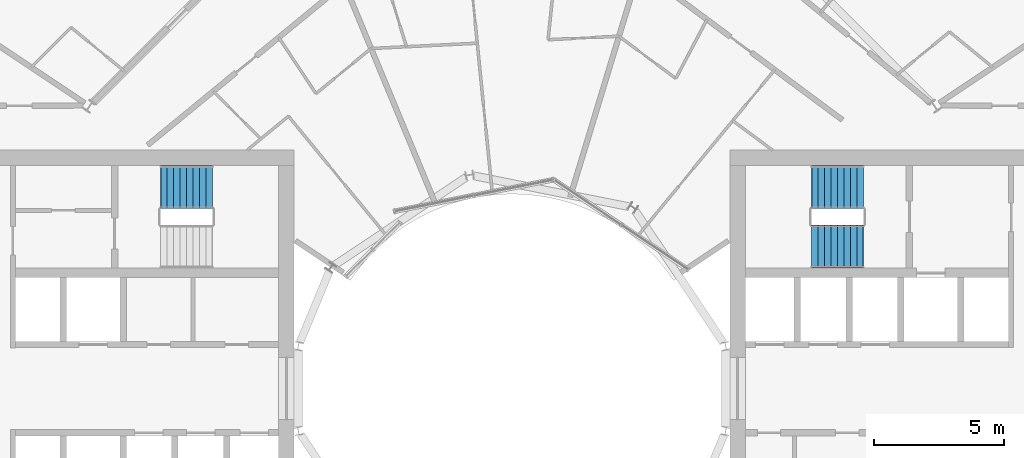
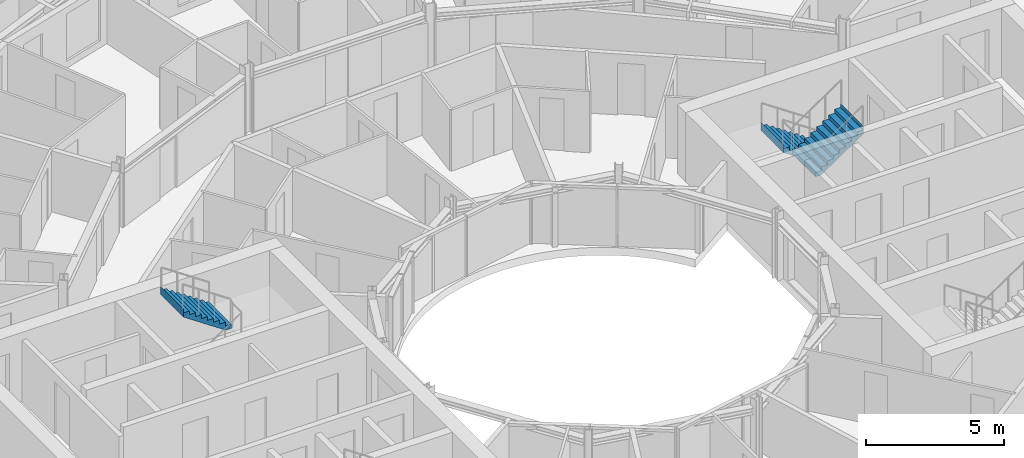
# One storey, part 25 of 27: 3 stair flights, 2 elements without a shape of their own.
"""IFC4 building model written with IfcOpenShell, lengths in metres."""

import ifcopenshell
import ifcopenshell.guid

model = None  # the IFC model being written
_history = None  # IfcOwnerHistory: only IFC2X3 demands one
_inside = {}  # id of a spatial element -> (the spatial element, [elements in it])
_under = {}  # id of a project, library or spatial element -> (it, [spatial elements below it])
_declared = {}  # id of a project -> (the project, [libraries it declares])
_typed = {}  # id of a type object -> (the type object, [elements of that type])
_made_of = {}  # id of a material, layer set ... -> (it, [elements and type objects made of it])


def new_model(schema):
    """Start an empty IFC model of exactly this schema.

    Asked for "IFC4X3", IfcOpenShell would pick the latest addendum, in which some entities
    have other attributes; the version numbers below select the first issue.
    IFC2X3 requires an IfcOwnerHistory on every rooted entity: one is made here for all.
    """
    global model, _history
    if schema == "IFC4X3":
        model = ifcopenshell.file(schema_version=(4, 3, 0, 0))
    else:
        model = ifcopenshell.file(schema=schema)
    _inside.clear()
    _under.clear()
    _declared.clear()
    _typed.clear()
    _made_of.clear()
    _history = None
    if model.schema == "IFC2X3":
        org = make("IfcOrganization", Name="unknown")
        user = make(
            "IfcPersonAndOrganization",
            ThePerson=make("IfcPerson", FamilyName="unknown"),
            TheOrganization=org,
        )
        app = make(
            "IfcApplication",
            ApplicationDeveloper=org,
            Version="unknown",
            ApplicationFullName="unknown",
            ApplicationIdentifier="unknown",
        )
        _history = make(
            "IfcOwnerHistory",
            OwningUser=user,
            OwningApplication=app,
            ChangeAction="ADDED",
            CreationDate=0,
        )
    return model


def make(cls, **values):
    """One entity of the class cls with the attributes given. An attribute that is None is left unset."""
    return model.create_entity(
        cls, **{name: value for name, value in values.items() if value is not None}
    )


def rooted(cls, **values):
    """An entity with a GlobalId (a new one), such as an element, a storey or a relation."""
    return make(cls, GlobalId=ifcopenshell.guid.new(), OwnerHistory=_history, **values)


def si_unit(unit_type, name, prefix=None):
    """IfcSIUnit, for example si_unit("LENGTHUNIT", "METRE", prefix="MILLI")."""
    return make("IfcSIUnit", UnitType=unit_type, Prefix=prefix, Name=name)


def assignment(units):
    """IfcUnitAssignment: the units of a project."""
    return None if units is None else make("IfcUnitAssignment", Units=units)


def point(xyz):
    """IfcCartesianPoint."""
    return None if xyz is None else make("IfcCartesianPoint", Coordinates=xyz)


def direction(xyz):
    """IfcDirection."""
    return None if xyz is None else make("IfcDirection", DirectionRatios=xyz)


def frame(location, z_axis=None, x_axis=None):
    """IfcAxis2Placement3D, a coordinate frame: its origin and axes. An axis left out is left unset."""
    return make(
        "IfcAxis2Placement3D",
        Location=point(location),
        Axis=direction(z_axis),
        RefDirection=direction(x_axis),
    )


def origin():
    """The frame at (0, 0, 0) with its axes left unset."""
    return frame((0.0, 0.0, 0.0))


def place(relative_to, where):
    """IfcLocalPlacement: puts the frame where relative to a parent placement (None: the world)."""
    return make(
        "IfcLocalPlacement", PlacementRelTo=relative_to, RelativePlacement=where
    )


def context(
    kind, dimensions, precision=None, world=None, true_north=None, identifier=None
):
    """IfcGeometricRepresentationContext, for example the 3D "Model" context."""
    return make(
        "IfcGeometricRepresentationContext",
        ContextIdentifier=identifier,
        ContextType=kind,
        CoordinateSpaceDimension=dimensions,
        Precision=precision,
        WorldCoordinateSystem=world,
        TrueNorth=true_north,
    )


def subcontext(parent, identifier, kind, view, scale=None):
    """IfcGeometricRepresentationSubContext, for example "Body" below "Model"."""
    return make(
        "IfcGeometricRepresentationSubContext",
        ContextIdentifier=identifier,
        ContextType=kind,
        ParentContext=parent,
        TargetScale=scale,
        TargetView=view,
    )


def project(units=None, contexts=None):
    """IfcProject with its units and contexts."""
    return rooted(
        "IfcProject",
        Name="project",
        RepresentationContexts=contexts,
        UnitsInContext=assignment(units),
    )


def spatial(cls, under=None, at=None, **own):
    """A site, building, storey or space (cls), placed at a placement, below another one or the project."""
    s = rooted(cls, ObjectPlacement=at, **own)
    if under is not None:
        _under.setdefault(under.id(), (under, []))[1].append(s)
    return s


def point_list(points):
    """IfcCartesianPointList2D or 3D."""
    cls = (
        "IfcCartesianPointList2D" if len(points[0]) == 2 else "IfcCartesianPointList3D"
    )
    return make(cls, CoordList=points)


def triangles(points, corners, closed=None, point_numbers=None):
    """IfcTriangulatedFaceSet: each triangle names its three corners, points numbered from 1."""
    return make(
        "IfcTriangulatedFaceSet",
        Coordinates=point_list(points),
        Closed=closed,
        CoordIndex=corners,
        PnIndex=point_numbers,
    )


def shape(context_of_items, identifier, shape_type, items):
    """IfcShapeRepresentation: the items that make up one representation, for example the "Body"."""
    return make(
        "IfcShapeRepresentation",
        ContextOfItems=context_of_items,
        RepresentationIdentifier=identifier,
        RepresentationType=shape_type,
        Items=items,
    )


def material(Name=None, Category=None):
    """IfcMaterial."""
    return make("IfcMaterial", Name=Name, Category=Category)


def made_of(thing, what):
    """Note that an element or type object is made of a material, layer set ...; save() writes the relation."""
    if what is not None:
        _made_of.setdefault(what.id(), (what, []))[1].append(thing)
    return thing


def type_object(cls, material=None, **own):
    """A type object (cls), such as IfcWallType, which elements share."""
    return made_of(rooted(cls, **own), material)


def element(
    cls,
    number,
    at=None,
    inside=None,
    cuts=None,
    type_object=None,
    material=None,
    context=None,
    identifier="Body",
    shape_type=None,
    held_by="IfcProductDefinitionShape",
    body=None,
    shapes=None,
    **own,
):
    """One element of the class cls, such as IfcWall. Its Tag is "e" and its number.

    at: its placement. inside: the storey or other place that contains it. cuts: it is an
    opening in that element (IfcRelVoidsElement). A single representation is given by context,
    identifier, shape_type and body (its items); several are given by shapes. held_by: the class
    of the entity that holds the representations. save() writes the other relations.
    """
    e = rooted(cls, Tag="e%d" % number, ObjectPlacement=at, **own)
    if body is not None:
        shapes = [shape(context, identifier, shape_type, body)]
    if shapes is not None:
        e.Representation = make(held_by, Representations=shapes)
    if inside is not None:
        _inside.setdefault(inside.id(), (inside, []))[1].append(e)
    if cuts is not None:
        rooted(
            "IfcRelVoidsElement", RelatingBuildingElement=cuts, RelatedOpeningElement=e
        )
    if type_object is not None:
        _typed.setdefault(type_object.id(), (type_object, []))[1].append(e)
    return made_of(e, material)


def aggregate(whole, parts):
    """IfcRelAggregates: a whole, such as a stair, and the parts it consists of."""
    return rooted("IfcRelAggregates", RelatingObject=whole, RelatedObjects=parts)


def save(model, path):
    """Write the relations noted so far, then the file.

    IfcRelAggregates (storeys below a building ...), IfcRelContainedInSpatialStructure (elements
    in a storey), IfcRelDefinesByType, IfcRelAssociatesMaterial and IfcRelDeclares: one each for
    every whole, place, type object, material and project.
    """
    for whole, parts in _under.values():
        aggregate(whole, parts)
    for where, things in _inside.values():
        rooted(
            "IfcRelContainedInSpatialStructure",
            RelatedElements=things,
            RelatingStructure=where,
        )
    for kind, things in _typed.values():
        rooted("IfcRelDefinesByType", RelatedObjects=things, RelatingType=kind)
    for what, things in _made_of.values():
        rooted("IfcRelAssociatesMaterial", RelatedObjects=things, RelatingMaterial=what)
    for by, libraries in _declared.values():
        rooted("IfcRelDeclares", RelatingContext=by, RelatedDefinitions=libraries)
    model.write(path)


model = new_model("IFC4")

# Units and contexts
model_context = context("Model", 3, precision=1e-05, world=origin(), true_north=direction((0.0, 1.0)))
body_context = subcontext(model_context, "Body", "Model", "MODEL_VIEW")
ifc_project = project(units=[si_unit("LENGTHUNIT", "METRE"), si_unit("AREAUNIT", "SQUARE_METRE"), si_unit("VOLUMEUNIT", "CUBIC_METRE"), si_unit("PLANEANGLEUNIT", "RADIAN"), si_unit("MASSUNIT", "GRAM", prefix="KILO")], contexts=[model_context])

# Site, building, storey
site_placement = place(None, origin())
site = spatial("IfcSite", under=ifc_project, at=site_placement, CompositionType="ELEMENT")
building_placement = place(site_placement, origin())
building = spatial("IfcBuilding", under=site, at=building_placement, Name="Maasbend Ring Residences", CompositionType="ELEMENT")
storey_placement = place(building_placement, frame((0.0, 0.0, 111.64990234375)))
storey = spatial("IfcBuildingStorey", under=building, at=storey_placement, Name="L31", CompositionType="ELEMENT", Elevation=111.64990234375)

# Stair, stair flights
ifc_material_1 = material(Name="Concrete C40/50", Category="concrete")
stair_type = type_object("IfcStairType", Name="CORE STAIR 18 RISERS", PredefinedType="HALF_TURN_STAIR", material=ifc_material_1)
stair_1_placement = place(storey_placement, origin())
stair_1 = element("IfcStair", 1, at=stair_1_placement, inside=storey, type_object=stair_type, Name="L31 Exit stair ST-E1", PredefinedType="HALF_TURN_STAIR")
ifc_material_2 = material(Name="Concrete C40/50", Category="concrete")
stair_flight_type = type_object("IfcStairFlightType", Name="CORE STAIR FLIGHT 1650", PredefinedType="STRAIGHT", material=ifc_material_2)
stair_flight_1_placement = place(storey_placement, frame((13.550048828125, 7.77490234375, 0.0), z_axis=(0.0, 0.0, 1.0), x_axis=(-1.0, 0.0, 0.0)))
stair_flight_1 = element("IfcStairFlight", 2, at=stair_flight_1_placement, type_object=stair_flight_type, Name="ST-E1 flight 1", NumberOfRisers=9, NumberOfTreads=8, PredefinedType="STRAIGHT", RiserHeight=0.169444444, TreadLength=0.25, context=body_context, shape_type="Tessellation", body=[
    triangles([(0.24072265625, 0.824951171875, -0.02001953125), (2.0029296875, 0.824951171875, 1.174560546875), (2.0029296875, 0.824951171875, 1.52490234375), (1.989990234375, 0.824951171875, 1.35546875), (1.75, 0.824951171875, 1.35546875), (1.75, 0.824951171875, 1.18603515625), (1.5, 0.824951171875, 1.18603515625), (1.5, 0.824951171875, 1.0166015625), (1.25, 0.824951171875, 1.0166015625), (1.25, 0.824951171875, 0.84716796875), (1.0, 0.824951171875, 0.84716796875), (1.0, 0.824951171875, 0.677734375), (0.75, 0.824951171875, 0.677734375), (0.75, 0.824951171875, 0.50830078125), (0.5, 0.824951171875, 0.50830078125), (0.5, 0.824951171875, 0.3388671875), (0.25, 0.824951171875, 0.3388671875), (0.25, 0.824951171875, 0.16943359375), (0.0, 0.824951171875, 0.16943359375), (0.0, 0.824951171875, 0.0), (-0.0029296875, 0.824951171875, 0.0), (-0.0029296875, 0.824951171875, -0.02001953125), (0.24072265625, 0.27490234375, -0.02001953125), (2.0029296875, 0.27490234375, 1.174560546875), (2.0029296875, 0.27490234375, 1.52490234375), (1.989990234375, 0.27490234375, 1.35546875), (1.75, 0.27490234375, 1.35546875), (1.75, 0.27490234375, 1.18603515625), (1.5, 0.27490234375, 1.18603515625), (1.5, 0.27490234375, 1.0166015625), (1.25, 0.27490234375, 1.0166015625), (1.25, 0.27490234375, 0.84716796875), (1.0, 0.27490234375, 0.84716796875), (1.0, 0.27490234375, 0.677734375), (0.75, 0.27490234375, 0.677734375), (0.75, 0.27490234375, 0.50830078125), (0.5, 0.27490234375, 0.50830078125), (0.5, 0.27490234375, 0.3388671875), (0.25, 0.27490234375, 0.3388671875), (0.25, 0.27490234375, 0.16943359375), (0.0, 0.27490234375, 0.16943359375), (0.0, 0.27490234375, 0.0), (-0.0029296875, 0.27490234375, 0.0), (-0.0029296875, 0.27490234375, -0.02001953125), (0.24072265625, -0.27490234375, -0.02001953125), (2.0029296875, -0.27490234375, 1.174560546875), (2.0029296875, -0.27490234375, 1.52490234375), (1.989990234375, -0.27490234375, 1.35546875), (1.75, -0.27490234375, 1.35546875), (1.75, -0.27490234375, 1.18603515625), (1.5, -0.27490234375, 1.18603515625), (1.5, -0.27490234375, 1.0166015625), (1.25, -0.27490234375, 1.0166015625), (1.25, -0.27490234375, 0.84716796875), (1.0, -0.27490234375, 0.84716796875), (1.0, -0.27490234375, 0.677734375), (0.75, -0.27490234375, 0.677734375), (0.75, -0.27490234375, 0.50830078125), (0.5, -0.27490234375, 0.50830078125), (0.5, -0.27490234375, 0.3388671875), (0.25, -0.27490234375, 0.3388671875), (0.25, -0.27490234375, 0.16943359375), (0.0, -0.27490234375, 0.16943359375), (0.0, -0.27490234375, 0.0), (-0.0029296875, -0.27490234375, 0.0), (-0.0029296875, -0.27490234375, -0.02001953125), (0.24072265625, -0.824951171875, -0.02001953125), (2.0029296875, -0.824951171875, 1.174560546875), (2.0029296875, -0.824951171875, 1.52490234375), (1.989990234375, -0.824951171875, 1.35546875), (1.75, -0.824951171875, 1.35546875), (1.75, -0.824951171875, 1.18603515625), (1.5, -0.824951171875, 1.18603515625), (1.5, -0.824951171875, 1.0166015625), (1.25, -0.824951171875, 1.0166015625), (1.25, -0.824951171875, 0.84716796875), (1.0, -0.824951171875, 0.84716796875), (1.0, -0.824951171875, 0.677734375), (0.75, -0.824951171875, 0.677734375), (0.75, -0.824951171875, 0.50830078125), (0.5, -0.824951171875, 0.50830078125), (0.5, -0.824951171875, 0.3388671875), (0.25, -0.824951171875, 0.3388671875), (0.25, -0.824951171875, 0.16943359375), (0.0, -0.824951171875, 0.16943359375), (0.0, -0.824951171875, 0.0), (-0.0029296875, -0.824951171875, 0.0), (-0.0029296875, -0.824951171875, -0.02001953125)], [[1, 2, 24], [1, 24, 23], [23, 24, 46], [23, 46, 45], [45, 46, 68], [45, 68, 67], [2, 3, 25], [2, 25, 24], [24, 25, 47], [24, 47, 46], [46, 47, 69], [46, 69, 68], [3, 4, 26], [3, 26, 25], [25, 26, 48], [25, 48, 47], [47, 48, 70], [47, 70, 69], [4, 5, 27], [4, 27, 26], [26, 27, 49], [26, 49, 48], [48, 49, 71], [48, 71, 70], [5, 6, 28], [5, 28, 27], [27, 28, 50], [27, 50, 49], [49, 50, 72], [49, 72, 71], [6, 7, 29], [6, 29, 28], [28, 29, 51], [28, 51, 50], [50, 51, 73], [50, 73, 72], [7, 8, 30], [7, 30, 29], [29, 30, 52], [29, 52, 51], [51, 52, 74], [51, 74, 73], [8, 9, 31], [8, 31, 30], [30, 31, 53], [30, 53, 52], [52, 53, 75], [52, 75, 74], [9, 10, 32], [9, 32, 31], [31, 32, 54], [31, 54, 53], [53, 54, 76], [53, 76, 75], [10, 11, 33], [10, 33, 32], [32, 33, 55], [32, 55, 54], [54, 55, 77], [54, 77, 76], [11, 12, 34], [11, 34, 33], [33, 34, 56], [33, 56, 55], [55, 56, 78], [55, 78, 77], [12, 13, 35], [12, 35, 34], [34, 35, 57], [34, 57, 56], [56, 57, 79], [56, 79, 78], [13, 14, 36], [13, 36, 35], [35, 36, 58], [35, 58, 57], [57, 58, 80], [57, 80, 79], [14, 15, 37], [14, 37, 36], [36, 37, 59], [36, 59, 58], [58, 59, 81], [58, 81, 80], [15, 16, 38], [15, 38, 37], [37, 38, 60], [37, 60, 59], [59, 60, 82], [59, 82, 81], [16, 17, 39], [16, 39, 38], [38, 39, 61], [38, 61, 60], [60, 61, 83], [60, 83, 82], [17, 18, 40], [17, 40, 39], [39, 40, 62], [39, 62, 61], [61, 62, 84], [61, 84, 83], [18, 19, 41], [18, 41, 40], [40, 41, 63], [40, 63, 62], [62, 63, 85], [62, 85, 84], [19, 20, 42], [19, 42, 41], [41, 42, 64], [41, 64, 63], [63, 64, 86], [63, 86, 85], [20, 21, 43], [20, 43, 42], [42, 43, 65], [42, 65, 64], [64, 65, 87], [64, 87, 86], [21, 22, 44], [21, 44, 43], [43, 44, 66], [43, 66, 65], [65, 66, 88], [65, 88, 87], [22, 1, 23], [22, 23, 44], [44, 23, 45], [44, 45, 66], [66, 45, 67], [66, 67, 88], [22, 2, 1], [2, 4, 3], [2, 5, 4], [2, 6, 5], [22, 6, 2], [6, 8, 7], [22, 8, 6], [8, 10, 9], [22, 10, 8], [10, 12, 11], [22, 12, 10], [12, 14, 13], [22, 14, 12], [14, 16, 15], [22, 16, 14], [16, 18, 17], [22, 18, 16], [18, 20, 19], [22, 20, 18], [20, 22, 21], [88, 67, 68], [68, 69, 70], [68, 70, 71], [68, 71, 72], [88, 68, 72], [72, 73, 74], [88, 72, 74], [74, 75, 76], [88, 74, 76], [76, 77, 78], [88, 76, 78], [78, 79, 80], [88, 78, 80], [80, 81, 82], [88, 80, 82], [82, 83, 84], [88, 82, 84], [84, 85, 86], [88, 84, 86], [86, 87, 88]], closed=True),
])
stair_flight_2_placement = place(storey_placement, frame((11.550048828125, 5.47509765625, 1.525146484375), z_axis=(0.0, 0.0, 1.0), x_axis=(1.0, 0.0, 0.0)))
stair_flight_2 = element("IfcStairFlight", 3, at=stair_flight_2_placement, type_object=stair_flight_type, Name="ST-E1 flight 2", NumberOfRisers=9, NumberOfTreads=8, PredefinedType="STRAIGHT", RiserHeight=0.169444444, TreadLength=0.25, context=body_context, shape_type="Tessellation", body=[
    triangles([(0.24072265625, 0.824951171875, -0.02001953125), (2.0029296875, 0.824951171875, 1.174560546875), (2.0029296875, 0.824951171875, 1.52490234375), (1.989990234375, 0.824951171875, 1.35546875), (1.75, 0.824951171875, 1.35546875), (1.75, 0.824951171875, 1.18603515625), (1.5, 0.824951171875, 1.18603515625), (1.5, 0.824951171875, 1.0166015625), (1.25, 0.824951171875, 1.0166015625), (1.25, 0.824951171875, 0.84716796875), (1.0, 0.824951171875, 0.84716796875), (1.0, 0.824951171875, 0.677734375), (0.75, 0.824951171875, 0.677734375), (0.75, 0.824951171875, 0.50830078125), (0.5, 0.824951171875, 0.50830078125), (0.5, 0.824951171875, 0.3388671875), (0.25, 0.824951171875, 0.3388671875), (0.25, 0.824951171875, 0.16943359375), (0.0, 0.824951171875, 0.16943359375), (0.0, 0.824951171875, 0.0), (-0.0029296875, 0.824951171875, 0.0), (-0.0029296875, 0.824951171875, -0.02001953125), (0.24072265625, 0.27490234375, -0.02001953125), (2.0029296875, 0.27490234375, 1.174560546875), (2.0029296875, 0.27490234375, 1.52490234375), (1.989990234375, 0.27490234375, 1.35546875), (1.75, 0.27490234375, 1.35546875), (1.75, 0.27490234375, 1.18603515625), (1.5, 0.27490234375, 1.18603515625), (1.5, 0.27490234375, 1.0166015625), (1.25, 0.27490234375, 1.0166015625), (1.25, 0.27490234375, 0.84716796875), (1.0, 0.27490234375, 0.84716796875), (1.0, 0.27490234375, 0.677734375), (0.75, 0.27490234375, 0.677734375), (0.75, 0.27490234375, 0.50830078125), (0.5, 0.27490234375, 0.50830078125), (0.5, 0.27490234375, 0.3388671875), (0.25, 0.27490234375, 0.3388671875), (0.25, 0.27490234375, 0.16943359375), (0.0, 0.27490234375, 0.16943359375), (0.0, 0.27490234375, 0.0), (-0.0029296875, 0.27490234375, 0.0), (-0.0029296875, 0.27490234375, -0.02001953125), (0.24072265625, -0.27490234375, -0.02001953125), (2.0029296875, -0.27490234375, 1.174560546875), (2.0029296875, -0.27490234375, 1.52490234375), (1.989990234375, -0.27490234375, 1.35546875), (1.75, -0.27490234375, 1.35546875), (1.75, -0.27490234375, 1.18603515625), (1.5, -0.27490234375, 1.18603515625), (1.5, -0.27490234375, 1.0166015625), (1.25, -0.27490234375, 1.0166015625), (1.25, -0.27490234375, 0.84716796875), (1.0, -0.27490234375, 0.84716796875), (1.0, -0.27490234375, 0.677734375), (0.75, -0.27490234375, 0.677734375), (0.75, -0.27490234375, 0.50830078125), (0.5, -0.27490234375, 0.50830078125), (0.5, -0.27490234375, 0.3388671875), (0.25, -0.27490234375, 0.3388671875), (0.25, -0.27490234375, 0.16943359375), (0.0, -0.27490234375, 0.16943359375), (0.0, -0.27490234375, 0.0), (-0.0029296875, -0.27490234375, 0.0), (-0.0029296875, -0.27490234375, -0.02001953125), (0.24072265625, -0.824951171875, -0.02001953125), (2.0029296875, -0.824951171875, 1.174560546875), (2.0029296875, -0.824951171875, 1.52490234375), (1.989990234375, -0.824951171875, 1.35546875), (1.75, -0.824951171875, 1.35546875), (1.75, -0.824951171875, 1.18603515625), (1.5, -0.824951171875, 1.18603515625), (1.5, -0.824951171875, 1.0166015625), (1.25, -0.824951171875, 1.0166015625), (1.25, -0.824951171875, 0.84716796875), (1.0, -0.824951171875, 0.84716796875), (1.0, -0.824951171875, 0.677734375), (0.75, -0.824951171875, 0.677734375), (0.75, -0.824951171875, 0.50830078125), (0.5, -0.824951171875, 0.50830078125), (0.5, -0.824951171875, 0.3388671875), (0.25, -0.824951171875, 0.3388671875), (0.25, -0.824951171875, 0.16943359375), (0.0, -0.824951171875, 0.16943359375), (0.0, -0.824951171875, 0.0), (-0.0029296875, -0.824951171875, 0.0), (-0.0029296875, -0.824951171875, -0.02001953125)], [[1, 2, 24], [1, 24, 23], [23, 24, 46], [23, 46, 45], [45, 46, 68], [45, 68, 67], [2, 3, 25], [2, 25, 24], [24, 25, 47], [24, 47, 46], [46, 47, 69], [46, 69, 68], [3, 4, 26], [3, 26, 25], [25, 26, 48], [25, 48, 47], [47, 48, 70], [47, 70, 69], [4, 5, 27], [4, 27, 26], [26, 27, 49], [26, 49, 48], [48, 49, 71], [48, 71, 70], [5, 6, 28], [5, 28, 27], [27, 28, 50], [27, 50, 49], [49, 50, 72], [49, 72, 71], [6, 7, 29], [6, 29, 28], [28, 29, 51], [28, 51, 50], [50, 51, 73], [50, 73, 72], [7, 8, 30], [7, 30, 29], [29, 30, 52], [29, 52, 51], [51, 52, 74], [51, 74, 73], [8, 9, 31], [8, 31, 30], [30, 31, 53], [30, 53, 52], [52, 53, 75], [52, 75, 74], [9, 10, 32], [9, 32, 31], [31, 32, 54], [31, 54, 53], [53, 54, 76], [53, 76, 75], [10, 11, 33], [10, 33, 32], [32, 33, 55], [32, 55, 54], [54, 55, 77], [54, 77, 76], [11, 12, 34], [11, 34, 33], [33, 34, 56], [33, 56, 55], [55, 56, 78], [55, 78, 77], [12, 13, 35], [12, 35, 34], [34, 35, 57], [34, 57, 56], [56, 57, 79], [56, 79, 78], [13, 14, 36], [13, 36, 35], [35, 36, 58], [35, 58, 57], [57, 58, 80], [57, 80, 79], [14, 15, 37], [14, 37, 36], [36, 37, 59], [36, 59, 58], [58, 59, 81], [58, 81, 80], [15, 16, 38], [15, 38, 37], [37, 38, 60], [37, 60, 59], [59, 60, 82], [59, 82, 81], [16, 17, 39], [16, 39, 38], [38, 39, 61], [38, 61, 60], [60, 61, 83], [60, 83, 82], [17, 18, 40], [17, 40, 39], [39, 40, 62], [39, 62, 61], [61, 62, 84], [61, 84, 83], [18, 19, 41], [18, 41, 40], [40, 41, 63], [40, 63, 62], [62, 63, 85], [62, 85, 84], [19, 20, 42], [19, 42, 41], [41, 42, 64], [41, 64, 63], [63, 64, 86], [63, 86, 85], [20, 21, 43], [20, 43, 42], [42, 43, 65], [42, 65, 64], [64, 65, 87], [64, 87, 86], [21, 22, 44], [21, 44, 43], [43, 44, 66], [43, 66, 65], [65, 66, 88], [65, 88, 87], [22, 1, 23], [22, 23, 44], [44, 23, 45], [44, 45, 66], [66, 45, 67], [66, 67, 88], [22, 2, 1], [2, 4, 3], [2, 5, 4], [2, 6, 5], [22, 6, 2], [6, 8, 7], [22, 8, 6], [8, 10, 9], [22, 10, 8], [10, 12, 11], [22, 12, 10], [12, 14, 13], [22, 14, 12], [14, 16, 15], [22, 16, 14], [16, 18, 17], [22, 18, 16], [18, 20, 19], [22, 20, 18], [20, 22, 21], [88, 67, 68], [68, 69, 70], [68, 70, 71], [68, 71, 72], [88, 68, 72], [72, 73, 74], [88, 72, 74], [74, 75, 76], [88, 74, 76], [76, 77, 78], [88, 76, 78], [78, 79, 80], [88, 78, 80], [80, 81, 82], [88, 80, 82], [82, 83, 84], [88, 82, 84], [84, 85, 86], [88, 84, 86], [86, 87, 88]], closed=True),
])
aggregate(stair_1, [stair_flight_1, stair_flight_2])

# Stair, stair flight
stair_2_placement = place(storey_placement, origin())
stair_2 = element("IfcStair", 4, at=stair_2_placement, inside=storey, type_object=stair_type, Name="L31 Exit stair ST-W2", PredefinedType="HALF_TURN_STAIR")
stair_flight_3_placement = place(storey_placement, frame((-11.550048828125, 7.77490234375, 1.525146484375), z_axis=(0.0, 0.0, 1.0), x_axis=(-1.0, 0.0, 0.0)))
stair_flight_3 = element("IfcStairFlight", 5, at=stair_flight_3_placement, type_object=stair_flight_type, Name="ST-W2 flight 2", NumberOfRisers=9, NumberOfTreads=8, PredefinedType="STRAIGHT", RiserHeight=0.169444444, TreadLength=0.25, context=body_context, shape_type="Tessellation", body=[
    triangles([(0.24072265625, 0.824951171875, -0.02001953125), (2.0029296875, 0.824951171875, 1.174560546875), (2.0029296875, 0.824951171875, 1.52490234375), (1.989990234375, 0.824951171875, 1.35546875), (1.75, 0.824951171875, 1.35546875), (1.75, 0.824951171875, 1.18603515625), (1.5, 0.824951171875, 1.18603515625), (1.5, 0.824951171875, 1.0166015625), (1.25, 0.824951171875, 1.0166015625), (1.25, 0.824951171875, 0.84716796875), (1.0, 0.824951171875, 0.84716796875), (1.0, 0.824951171875, 0.677734375), (0.75, 0.824951171875, 0.677734375), (0.75, 0.824951171875, 0.50830078125), (0.5, 0.824951171875, 0.50830078125), (0.5, 0.824951171875, 0.3388671875), (0.25, 0.824951171875, 0.3388671875), (0.25, 0.824951171875, 0.16943359375), (0.0, 0.824951171875, 0.16943359375), (0.0, 0.824951171875, 0.0), (-0.0029296875, 0.824951171875, 0.0), (-0.0029296875, 0.824951171875, -0.02001953125), (0.24072265625, 0.27490234375, -0.02001953125), (2.0029296875, 0.27490234375, 1.174560546875), (2.0029296875, 0.27490234375, 1.52490234375), (1.989990234375, 0.27490234375, 1.35546875), (1.75, 0.27490234375, 1.35546875), (1.75, 0.27490234375, 1.18603515625), (1.5, 0.27490234375, 1.18603515625), (1.5, 0.27490234375, 1.0166015625), (1.25, 0.27490234375, 1.0166015625), (1.25, 0.27490234375, 0.84716796875), (1.0, 0.27490234375, 0.84716796875), (1.0, 0.27490234375, 0.677734375), (0.75, 0.27490234375, 0.677734375), (0.75, 0.27490234375, 0.50830078125), (0.5, 0.27490234375, 0.50830078125), (0.5, 0.27490234375, 0.3388671875), (0.25, 0.27490234375, 0.3388671875), (0.25, 0.27490234375, 0.16943359375), (0.0, 0.27490234375, 0.16943359375), (0.0, 0.27490234375, 0.0), (-0.0029296875, 0.27490234375, 0.0), (-0.0029296875, 0.27490234375, -0.02001953125), (0.24072265625, -0.27490234375, -0.02001953125), (2.0029296875, -0.27490234375, 1.174560546875), (2.0029296875, -0.27490234375, 1.52490234375), (1.989990234375, -0.27490234375, 1.35546875), (1.75, -0.27490234375, 1.35546875), (1.75, -0.27490234375, 1.18603515625), (1.5, -0.27490234375, 1.18603515625), (1.5, -0.27490234375, 1.0166015625), (1.25, -0.27490234375, 1.0166015625), (1.25, -0.27490234375, 0.84716796875), (1.0, -0.27490234375, 0.84716796875), (1.0, -0.27490234375, 0.677734375), (0.75, -0.27490234375, 0.677734375), (0.75, -0.27490234375, 0.50830078125), (0.5, -0.27490234375, 0.50830078125), (0.5, -0.27490234375, 0.3388671875), (0.25, -0.27490234375, 0.3388671875), (0.25, -0.27490234375, 0.16943359375), (0.0, -0.27490234375, 0.16943359375), (0.0, -0.27490234375, 0.0), (-0.0029296875, -0.27490234375, 0.0), (-0.0029296875, -0.27490234375, -0.02001953125), (0.24072265625, -0.824951171875, -0.02001953125), (2.0029296875, -0.824951171875, 1.174560546875), (2.0029296875, -0.824951171875, 1.52490234375), (1.989990234375, -0.824951171875, 1.35546875), (1.75, -0.824951171875, 1.35546875), (1.75, -0.824951171875, 1.18603515625), (1.5, -0.824951171875, 1.18603515625), (1.5, -0.824951171875, 1.0166015625), (1.25, -0.824951171875, 1.0166015625), (1.25, -0.824951171875, 0.84716796875), (1.0, -0.824951171875, 0.84716796875), (1.0, -0.824951171875, 0.677734375), (0.75, -0.824951171875, 0.677734375), (0.75, -0.824951171875, 0.50830078125), (0.5, -0.824951171875, 0.50830078125), (0.5, -0.824951171875, 0.3388671875), (0.25, -0.824951171875, 0.3388671875), (0.25, -0.824951171875, 0.16943359375), (0.0, -0.824951171875, 0.16943359375), (0.0, -0.824951171875, 0.0), (-0.0029296875, -0.824951171875, 0.0), (-0.0029296875, -0.824951171875, -0.02001953125)], [[1, 2, 24], [1, 24, 23], [23, 24, 46], [23, 46, 45], [45, 46, 68], [45, 68, 67], [2, 3, 25], [2, 25, 24], [24, 25, 47], [24, 47, 46], [46, 47, 69], [46, 69, 68], [3, 4, 26], [3, 26, 25], [25, 26, 48], [25, 48, 47], [47, 48, 70], [47, 70, 69], [4, 5, 27], [4, 27, 26], [26, 27, 49], [26, 49, 48], [48, 49, 71], [48, 71, 70], [5, 6, 28], [5, 28, 27], [27, 28, 50], [27, 50, 49], [49, 50, 72], [49, 72, 71], [6, 7, 29], [6, 29, 28], [28, 29, 51], [28, 51, 50], [50, 51, 73], [50, 73, 72], [7, 8, 30], [7, 30, 29], [29, 30, 52], [29, 52, 51], [51, 52, 74], [51, 74, 73], [8, 9, 31], [8, 31, 30], [30, 31, 53], [30, 53, 52], [52, 53, 75], [52, 75, 74], [9, 10, 32], [9, 32, 31], [31, 32, 54], [31, 54, 53], [53, 54, 76], [53, 76, 75], [10, 11, 33], [10, 33, 32], [32, 33, 55], [32, 55, 54], [54, 55, 77], [54, 77, 76], [11, 12, 34], [11, 34, 33], [33, 34, 56], [33, 56, 55], [55, 56, 78], [55, 78, 77], [12, 13, 35], [12, 35, 34], [34, 35, 57], [34, 57, 56], [56, 57, 79], [56, 79, 78], [13, 14, 36], [13, 36, 35], [35, 36, 58], [35, 58, 57], [57, 58, 80], [57, 80, 79], [14, 15, 37], [14, 37, 36], [36, 37, 59], [36, 59, 58], [58, 59, 81], [58, 81, 80], [15, 16, 38], [15, 38, 37], [37, 38, 60], [37, 60, 59], [59, 60, 82], [59, 82, 81], [16, 17, 39], [16, 39, 38], [38, 39, 61], [38, 61, 60], [60, 61, 83], [60, 83, 82], [17, 18, 40], [17, 40, 39], [39, 40, 62], [39, 62, 61], [61, 62, 84], [61, 84, 83], [18, 19, 41], [18, 41, 40], [40, 41, 63], [40, 63, 62], [62, 63, 85], [62, 85, 84], [19, 20, 42], [19, 42, 41], [41, 42, 64], [41, 64, 63], [63, 64, 86], [63, 86, 85], [20, 21, 43], [20, 43, 42], [42, 43, 65], [42, 65, 64], [64, 65, 87], [64, 87, 86], [21, 22, 44], [21, 44, 43], [43, 44, 66], [43, 66, 65], [65, 66, 88], [65, 88, 87], [22, 1, 23], [22, 23, 44], [44, 23, 45], [44, 45, 66], [66, 45, 67], [66, 67, 88], [22, 2, 1], [2, 4, 3], [2, 5, 4], [2, 6, 5], [22, 6, 2], [6, 8, 7], [22, 8, 6], [8, 10, 9], [22, 10, 8], [10, 12, 11], [22, 12, 10], [12, 14, 13], [22, 14, 12], [14, 16, 15], [22, 16, 14], [16, 18, 17], [22, 18, 16], [18, 20, 19], [22, 20, 18], [20, 22, 21], [88, 67, 68], [68, 69, 70], [68, 70, 71], [68, 71, 72], [88, 68, 72], [72, 73, 74], [88, 72, 74], [74, 75, 76], [88, 74, 76], [76, 77, 78], [88, 76, 78], [78, 79, 80], [88, 78, 80], [80, 81, 82], [88, 80, 82], [82, 83, 84], [88, 82, 84], [84, 85, 86], [88, 84, 86], [86, 87, 88]], closed=True),
])
aggregate(stair_2, [stair_flight_3])

save(model, "model.ifc")
